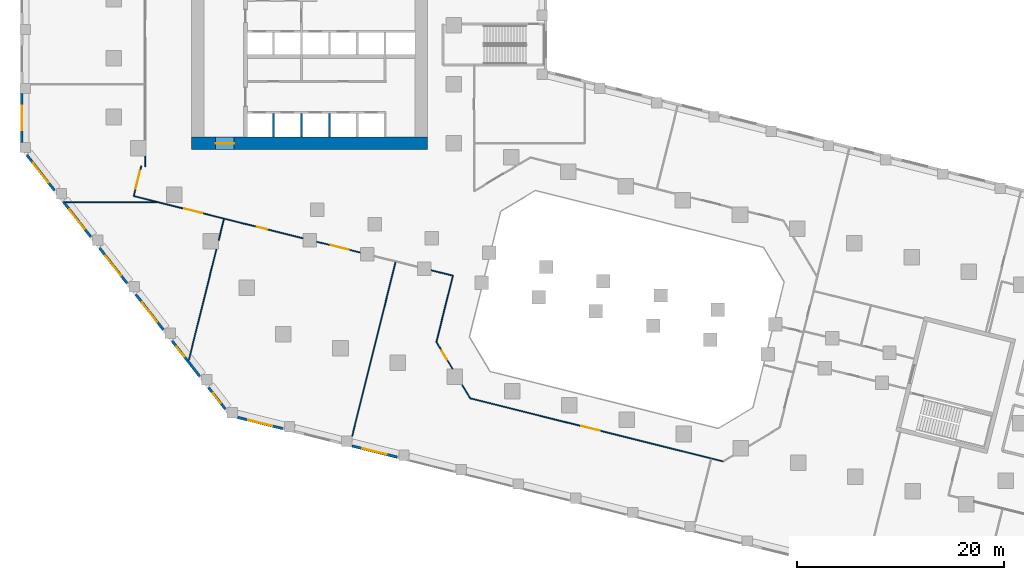
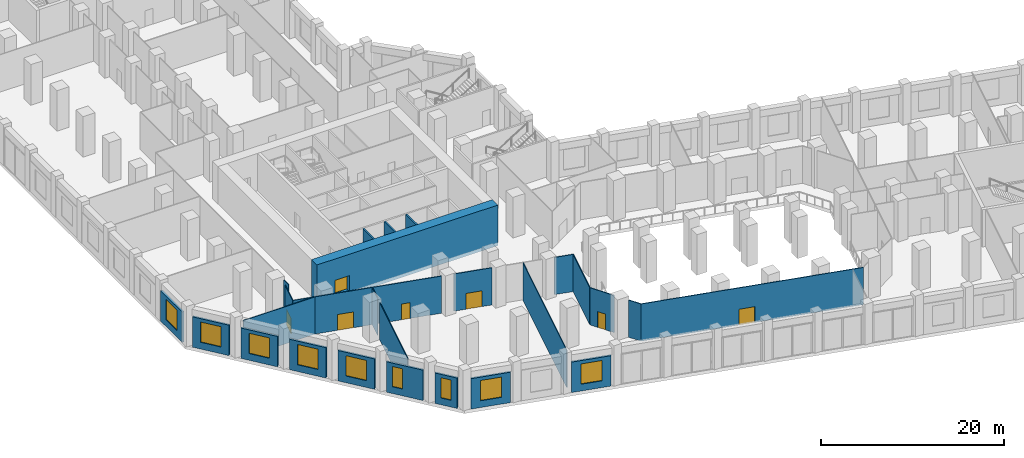
# One storey, part 9 of 23: 26 walls, 9 windows, 7 doors, 16 openings.
"""IFC4 building model written with IfcOpenShell, lengths in metres."""

from ifc_helpers import new_model, si_unit, direction, frame, frame_2d, origin, place, context, subcontext, project, spatial, rectangle, extrude, material, layer, layer_set, type_object, element, fill, save


model = new_model("IFC4")

# Units and contexts
model_context = context("Model", 3, precision=1e-05, world=origin(), true_north=direction((0.0, 1.0)))
body_context = subcontext(model_context, "Body", "Model", "MODEL_VIEW")
ifc_project = project(units=[si_unit("LENGTHUNIT", "METRE"), si_unit("AREAUNIT", "SQUARE_METRE"), si_unit("VOLUMEUNIT", "CUBIC_METRE"), si_unit("PLANEANGLEUNIT", "RADIAN"), si_unit("MASSUNIT", "GRAM", prefix="KILO")], contexts=[model_context])

# Site, building, storey
site_placement = place(None, origin())
site = spatial("IfcSite", under=ifc_project, at=site_placement, CompositionType="ELEMENT")
building_placement = place(site_placement, origin())
building = spatial("IfcBuilding", under=site, at=building_placement, Name="Meshkara Civic Tower", CompositionType="ELEMENT")
storey_placement = place(building_placement, frame((0.0, 0.0, 7.199951171875)))
storey = spatial("IfcBuildingStorey", under=building, at=storey_placement, Name="L01", CompositionType="ELEMENT", Elevation=7.199951171875)

# Wall, opening, door
ifc_material_1 = material(Name="Concrete C80", Category="concrete")
ifc_layer_1 = layer(ifc_material_1, 1.199951171875)
ifc_layer_set_1 = layer_set([ifc_layer_1], Name="Core ring wall 1200 C80")
wall_type_1 = type_object("IfcWallType", Name="Core ring wall 1200 C80", PredefinedType="SHEAR", material=ifc_layer_set_1)
wall_1_placement = place(storey_placement, frame((8.0, 14.699951171875, -0.449951171875), z_axis=(0.0, 0.0, 1.0), x_axis=(1.0, 0.0, 0.0)))
wall_1 = element("IfcWall", 1, at=wall_1_placement, inside=storey, type_object=wall_type_1, Name="L01-C001", PredefinedType="SHEAR", context=body_context, shape_type="SweptSolid", body=[
    extrude(rectangle(XDim=22.800048828125, YDim=1.199951171875, at=frame_2d((11.39990234375, 0.0))), origin(), (0.0, 0.0, 1.0), 5.39990234375),
])
opening_1_placement = place(wall_1_placement, frame((2.300048828125, 0.0, 0.449951171875)))
opening_1 = element("IfcOpeningElement", 2, at=opening_1_placement, cuts=wall_1, Name="Opening L01-K021", PredefinedType="OPENING", context=body_context, shape_type="SweptSolid", body=[
    extrude(rectangle(XDim=1.800048828125, YDim=2.10009765625, at=frame_2d((0.89990234375, 1.050048828125))), frame((0.0, 0.60986328125, 0.0), z_axis=(0.0, -1.0, 0.0), x_axis=(1.0, 0.0, 0.0)), (0.0, 0.0, 1.0), 1.219970703125),
])
ifc_material_2 = material(Name="Fire-rated door leaf in steel frame", Category="steel")
door_type_1 = type_object("IfcDoorType", Name="Core double door 1800 EI 60", OperationType="DOUBLE_DOOR_SINGLE_SWING", PredefinedType="DOOR", material=ifc_material_2)
door_1_placement = place(opening_1_placement, origin())
door_1 = element("IfcDoor", 3, at=door_1_placement, inside=storey, type_object=door_type_1, Name="L01-K021", OperationType="DOUBLE_DOOR_SINGLE_SWING", OverallHeight=2.10009765625, OverallWidth=1.800048828125, PredefinedType="DOOR", context=body_context, shape_type="SweptSolid", body=[
    extrude(rectangle(XDim=1.800048828125, YDim=2.10009765625, at=frame_2d((0.89990234375, 1.050048828125))), frame((0.0, 0.02490234375, 0.0), z_axis=(0.0, -1.0, 0.0), x_axis=(1.0, 0.0, 0.0)), (0.0, 0.0, 1.0), 0.050048828125),
])
fill(opening_1, door_1)

# Wall, openings, doors
ifc_material_3 = material(Name="Corridor wall 100")
ifc_layer_2 = layer(ifc_material_3, 0.10009765625)
ifc_layer_set_2 = layer_set([ifc_layer_2], Name="Corridor wall 100")
wall_type_2 = type_object("IfcWallType", Name="Corridor wall 100", PredefinedType="PARTITIONING", material=ifc_layer_set_2)
wall_2_placement = place(storey_placement, frame((2.39501953125, 9.60595703125, 0.0), z_axis=(0.0, 0.0, 1.0), x_axis=(0.970307527636, -0.241874558011, 0.0)))
wall_2 = element("IfcWall", 4, at=wall_2_placement, inside=storey, type_object=wall_type_2, Name="L01-R004", PredefinedType="PARTITIONING", context=body_context, shape_type="SweptSolid", body=[
    extrude(rectangle(XDim=16.859375, YDim=0.10009765625, at=frame_2d((8.4296875, 0.0))), origin(), (0.0, 0.0, 1.0), 4.949951171875),
])
opening_2_placement = place(wall_2_placement, frame((5.044921875, 0.0, 0.0)))
opening_2 = element("IfcOpeningElement", 5, at=opening_2_placement, cuts=wall_2, Name="Opening L01-P016", PredefinedType="OPENING", context=body_context, shape_type="SweptSolid", body=[
    extrude(rectangle(XDim=1.800048828125, YDim=2.10009765625, at=frame_2d((0.89990234375, 1.050048828125))), frame((0.0, 0.06005859375, 0.0), z_axis=(0.0, -1.0, 0.0), x_axis=(1.0, 0.0, 0.0)), (0.0, 0.0, 1.0), 0.1201171875),
])
opening_3_placement = place(wall_2_placement, frame((12.280029296875, 0.0, 0.0)))
opening_3 = element("IfcOpeningElement", 6, at=opening_3_placement, cuts=wall_2, Name="Opening L01-P017", PredefinedType="OPENING", context=body_context, shape_type="SweptSolid", body=[
    extrude(rectangle(XDim=1.0, YDim=2.10009765625, at=frame_2d((0.5, 1.050048828125))), frame((0.0, 0.06005859375, 0.0), z_axis=(0.0, -1.0, 0.0), x_axis=(1.0, 0.0, 0.0)), (0.0, 0.0, 1.0), 0.1201171875),
])
ifc_material_4 = material(Name="Door 1000 x 2100")
door_type_2 = type_object("IfcDoorType", Name="Door 1000 x 2100", OperationType="SINGLE_SWING_LEFT", PredefinedType="DOOR", material=ifc_material_4)
door_2_placement = place(opening_3_placement, origin())
door_2 = element("IfcDoor", 7, at=door_2_placement, inside=storey, type_object=door_type_2, Name="L01-P017", OperationType="SINGLE_SWING_RIGHT", OverallHeight=2.10009765625, OverallWidth=1.0, PredefinedType="DOOR", context=body_context, shape_type="SweptSolid", body=[
    extrude(rectangle(XDim=1.0, YDim=2.10009765625, at=frame_2d((0.5, 1.050048828125))), frame((0.0, 0.02490234375, 0.0), z_axis=(0.0, -1.0, 0.0), x_axis=(1.0, 0.0, 0.0)), (0.0, 0.0, 1.0), 0.050048828125),
])
fill(opening_3, door_2)
ifc_material_5 = material(Name="Door pair 1800 x 2100")
door_type_3 = type_object("IfcDoorType", Name="Door pair 1800 x 2100", OperationType="SINGLE_SWING_LEFT", PredefinedType="DOOR", material=ifc_material_5)
door_3_placement = place(opening_2_placement, origin())
door_3 = element("IfcDoor", 8, at=door_3_placement, inside=storey, type_object=door_type_3, Name="L01-P016", OperationType="DOUBLE_DOOR_SINGLE_SWING", OverallHeight=2.10009765625, OverallWidth=1.800048828125, PredefinedType="DOOR", context=body_context, shape_type="SweptSolid", body=[
    extrude(rectangle(XDim=1.800048828125, YDim=2.10009765625, at=frame_2d((0.89990234375, 1.050048828125))), frame((0.0, 0.02490234375, 0.0), z_axis=(0.0, -1.0, 0.0), x_axis=(1.0, 0.0, 0.0)), (0.0, 0.0, 1.0), 0.050048828125),
])
fill(opening_2, door_3)

# Wall, opening, door
wall_3_placement = place(storey_placement, frame((3.12109375, 12.51708984375, 0.0), z_axis=(0.0, 0.0, 1.0), x_axis=(-0.241999491975, -0.970276376031, 0.0)))
wall_3 = element("IfcWall", 9, at=wall_3_placement, inside=storey, type_object=wall_type_2, Name="L01-R005", PredefinedType="PARTITIONING", context=body_context, shape_type="SweptSolid", body=[
    extrude(rectangle(XDim=3.000244140625, YDim=0.10009765625, at=frame_2d((1.5, 0.0))), origin(), (0.0, 0.0, 1.0), 4.949951171875),
])
opening_4_placement = place(wall_3_placement, frame((0.47998046875, 0.0, 0.0)))
opening_4 = element("IfcOpeningElement", 10, at=opening_4_placement, cuts=wall_3, Name="Opening L01-P015", PredefinedType="OPENING", context=body_context, shape_type="SweptSolid", body=[
    extrude(rectangle(XDim=1.800048828125, YDim=2.10009765625, at=frame_2d((0.89990234375, 1.050048828125))), frame((0.0, 0.06005859375, 0.0), z_axis=(0.0, -1.0, 0.0), x_axis=(1.0, 0.0, 0.0)), (0.0, 0.0, 1.0), 0.1201171875),
])
door_4_placement = place(opening_4_placement, origin())
door_4 = element("IfcDoor", 11, at=door_4_placement, inside=storey, type_object=door_type_3, Name="L01-P015", OperationType="DOUBLE_DOOR_SINGLE_SWING", OverallHeight=2.10009765625, OverallWidth=1.800048828125, PredefinedType="DOOR", context=body_context, shape_type="SweptSolid", body=[
    extrude(rectangle(XDim=1.800048828125, YDim=2.10009765625, at=frame_2d((0.89990234375, 1.050048828125))), frame((0.0, 0.02490234375, 0.0), z_axis=(0.0, -1.0, 0.0), x_axis=(1.0, 0.0, 0.0)), (0.0, 0.0, 1.0), 0.050048828125),
])
fill(opening_4, door_4)

# Wall
wall_4_placement = place(storey_placement, frame((3.5, 13.458984375, 0.0), z_axis=(0.0, 0.0, 1.0), x_axis=(0.0, -1.0, 0.0)))
element("IfcWall", 12, at=wall_4_placement, inside=storey, type_object=wall_type_2, Name="L01-R006", PredefinedType="PARTITIONING", context=body_context, shape_type="SweptSolid", body=[
    extrude(rectangle(XDim=1.035888671875, YDim=0.10009765625, at=frame_2d((0.51806640625, 0.0))), origin(), (0.0, 0.0, 1.0), 4.949951171875),
])

# Wall, opening, door
wall_5_placement = place(storey_placement, frame((20.093994140625, 5.193115234375, 0.0), z_axis=(0.0, 0.0, 1.0), x_axis=(0.970321828551, -0.241817181023, 0.0)))
wall_5 = element("IfcWall", 13, at=wall_5_placement, inside=storey, type_object=wall_type_2, Name="L01-R028", PredefinedType="PARTITIONING", context=body_context, shape_type="SweptSolid", body=[
    extrude(rectangle(XDim=4.318115234375, YDim=0.10009765625, at=frame_2d((2.1591796875, 0.0))), origin(), (0.0, 0.0, 1.0), 4.949951171875),
])
opening_5_placement = place(wall_5_placement, frame((1.3798828125, 0.0, 0.0)))
opening_5 = element("IfcOpeningElement", 14, at=opening_5_placement, cuts=wall_5, Name="Opening L01-P013", PredefinedType="OPENING", context=body_context, shape_type="SweptSolid", body=[
    extrude(rectangle(XDim=1.800048828125, YDim=2.10009765625, at=frame_2d((0.89990234375, 1.050048828125))), frame((0.0, 0.06005859375, 0.0), z_axis=(0.0, -1.0, 0.0), x_axis=(1.0, 0.0, 0.0)), (0.0, 0.0, 1.0), 0.1201171875),
])
door_5_placement = place(opening_5_placement, origin())
door_5 = element("IfcDoor", 15, at=door_5_placement, inside=storey, type_object=door_type_3, Name="L01-P013", OperationType="DOUBLE_DOOR_SINGLE_SWING", OverallHeight=2.10009765625, OverallWidth=1.800048828125, PredefinedType="DOOR", context=body_context, shape_type="SweptSolid", body=[
    extrude(rectangle(XDim=1.800048828125, YDim=2.10009765625, at=frame_2d((0.89990234375, 1.050048828125))), frame((0.0, 0.02490234375, 0.0), z_axis=(0.0, -1.0, 0.0), x_axis=(1.0, 0.0, 0.0)), (0.0, 0.0, 1.0), 0.050048828125),
])
fill(opening_5, door_5)

# Wall
wall_6_placement = place(storey_placement, frame((31.155029296875, 2.43603515625, 0.0), z_axis=(0.0, 0.0, 1.0), x_axis=(0.970255412337, -0.242083528623, 0.0)))
element("IfcWall", 16, at=wall_6_placement, inside=storey, type_object=wall_type_2, Name="L01-R038", PredefinedType="PARTITIONING", context=body_context, shape_type="SweptSolid", body=[
    extrude(rectangle(XDim=2.16015625, YDim=0.10009765625, at=frame_2d((1.080078125, 0.0))), origin(), (0.0, 0.0, 1.0), 4.949951171875),
])

# Wall, opening, door
wall_7_placement = place(storey_placement, frame((31.654052734375, -4.490966796875, 0.0), z_axis=(0.0, 0.0, 1.0), x_axis=(0.514896022811, -0.857252638196, 0.0)))
wall_7 = element("IfcWall", 17, at=wall_7_placement, inside=storey, type_object=wall_type_2, Name="L01-R039", PredefinedType="PARTITIONING", context=body_context, shape_type="SweptSolid", body=[
    extrude(rectangle(XDim=3.04931640625, YDim=0.10009765625, at=frame_2d((1.524658203125, 0.0))), origin(), (0.0, 0.0, 1.0), 4.949951171875),
])
opening_6_placement = place(wall_7_placement, frame((0.97998046875, 0.0, 0.0)))
opening_6 = element("IfcOpeningElement", 18, at=opening_6_placement, cuts=wall_7, Name="Opening L01-P008", PredefinedType="OPENING", context=body_context, shape_type="SweptSolid", body=[
    extrude(rectangle(XDim=1.0, YDim=2.10009765625, at=frame_2d((0.5, 1.050048828125))), frame((0.0, 0.06005859375, 0.0), z_axis=(0.0, -1.0, 0.0), x_axis=(1.0, 0.0, 0.0)), (0.0, 0.0, 1.0), 0.1201171875),
])
door_6_placement = place(opening_6_placement, origin())
door_6 = element("IfcDoor", 19, at=door_6_placement, inside=storey, type_object=door_type_2, Name="L01-P008", OperationType="SINGLE_SWING_LEFT", OverallHeight=2.10009765625, OverallWidth=1.0, PredefinedType="DOOR", context=body_context, shape_type="SweptSolid", body=[
    extrude(rectangle(XDim=1.0, YDim=2.10009765625, at=frame_2d((0.5, 1.050048828125))), frame((0.0, 0.02490234375, 0.0), z_axis=(0.0, -1.0, 0.0), x_axis=(1.0, 0.0, 0.0)), (0.0, 0.0, 1.0), 0.050048828125),
])
fill(opening_6, door_6)

# Walls
wall_8_placement = place(storey_placement, frame((33.2509765625, 1.9130859375, 0.0), z_axis=(0.0, 0.0, 1.0), x_axis=(-0.241952442696, -0.970288109519, 0.0)))
element("IfcWall", 20, at=wall_8_placement, inside=storey, type_object=wall_type_2, Name="L01-R043", PredefinedType="PARTITIONING", context=body_context, shape_type="SweptSolid", body=[
    extrude(rectangle(XDim=6.60009765625, YDim=0.10009765625, at=frame_2d((3.300048828125, 0.0))), origin(), (0.0, 0.0, 1.0), 4.949951171875),
])
wall_9_placement = place(storey_placement, frame((34.14892578125, -8.64501953125, 0.0), z_axis=(0.0, 0.0, 1.0), x_axis=(0.51515786807, -0.857095310316, 0.0)))
element("IfcWall", 21, at=wall_9_placement, inside=storey, type_object=wall_type_2, Name="L01-R045", PredefinedType="PARTITIONING", context=body_context, shape_type="SweptSolid", body=[
    extrude(rectangle(XDim=1.51806640625, YDim=0.10009765625, at=frame_2d((0.759033203125, 0.0))), origin(), (0.0, 0.0, 1.0), 4.949951171875),
])

# Wall, opening, door
wall_10_placement = place(storey_placement, frame((34.930908203125, -9.946044921875, 0.0), z_axis=(0.0, 0.0, 1.0), x_axis=(0.970292759563, -0.241933794127, 0.0)))
wall_10 = element("IfcWall", 22, at=wall_10_placement, inside=storey, type_object=wall_type_2, Name="L01-R046", PredefinedType="PARTITIONING", context=body_context, shape_type="SweptSolid", body=[
    extrude(rectangle(XDim=25.20068359375, YDim=0.10009765625, at=frame_2d((12.600341796875, 0.0))), origin(), (0.0, 0.0, 1.0), 4.949951171875),
])
opening_7_placement = place(wall_10_placement, frame((11.080078125, 0.0, 0.0)))
opening_7 = element("IfcOpeningElement", 23, at=opening_7_placement, cuts=wall_10, Name="Opening L01-P002", PredefinedType="OPENING", context=body_context, shape_type="SweptSolid", body=[
    extrude(rectangle(XDim=1.800048828125, YDim=2.10009765625, at=frame_2d((0.89990234375, 1.050048828125))), frame((0.0, 0.06005859375, 0.0), z_axis=(0.0, -1.0, 0.0), x_axis=(1.0, 0.0, 0.0)), (0.0, 0.0, 1.0), 0.1201171875),
])
door_7_placement = place(opening_7_placement, origin())
door_7 = element("IfcDoor", 24, at=door_7_placement, inside=storey, type_object=door_type_3, Name="L01-P002", OperationType="DOUBLE_DOOR_SINGLE_SWING", OverallHeight=2.10009765625, OverallWidth=1.800048828125, PredefinedType="DOOR", context=body_context, shape_type="SweptSolid", body=[
    extrude(rectangle(XDim=1.800048828125, YDim=2.10009765625, at=frame_2d((0.89990234375, 1.050048828125))), frame((0.0, 0.02490234375, 0.0), z_axis=(0.0, -1.0, 0.0), x_axis=(1.0, 0.0, 0.0)), (0.0, 0.0, 1.0), 0.050048828125),
])
fill(opening_7, door_7)

# Wall, opening, window
ifc_material_6 = material(Name="Stone cladding on insulated backing wall", Category="masonry")
ifc_layer_3 = layer(ifc_material_6, 0.25)
ifc_layer_set_3 = layer_set([ifc_layer_3], Name="PODIUM STONE WALL 250")
wall_type_3 = type_object("IfcWallType", Name="PODIUM STONE WALL 250", PredefinedType="SOLIDWALL", material=ifc_layer_set_3)
wall_11_placement = place(storey_placement, frame((-8.425048828125, 19.510986328125, 0.0), z_axis=(0.0, 0.0, 1.0), x_axis=(0.0, -1.0, 0.0)))
wall_11 = element("IfcWall", 25, at=wall_11_placement, inside=storey, type_object=wall_type_3, Name="Podium external wall", PredefinedType="SOLIDWALL", context=body_context, shape_type="SweptSolid", body=[
    extrude(rectangle(XDim=4.699951171875, YDim=0.25, at=frame_2d((2.35009765625, 0.0))), origin(), (0.0, 0.0, 1.0), 4.050048828125),
])
opening_8_placement = place(wall_11_placement, frame((1.14990234375, 0.0, 0.89990234375)))
opening_8 = element("IfcOpeningElement", 26, at=opening_8_placement, cuts=wall_11, Name="Opening PW4", PredefinedType="OPENING", context=body_context, shape_type="SweptSolid", body=[
    extrude(rectangle(XDim=2.39990234375, YDim=2.699951171875, at=frame_2d((1.199951171875, 1.35009765625))), frame((0.0, 0.135009765625, 0.0), z_axis=(0.0, -1.0, 0.0), x_axis=(1.0, 0.0, 0.0)), (0.0, 0.0, 1.0), 0.27001953125),
])
ifc_material_7 = material(Name="Tinted double glazing", Category="glass")
window_type_1 = type_object("IfcWindowType", Name="PODIUM WINDOW 2400x2700", PartitioningType="DOUBLE_PANEL_VERTICAL", PredefinedType="WINDOW", material=ifc_material_7)
window_1_placement = place(opening_8_placement, origin())
window_1 = element("IfcWindow", 27, at=window_1_placement, inside=storey, type_object=window_type_1, Name="Podium window", OverallHeight=2.699951171875, OverallWidth=2.39990234375, PartitioningType="DOUBLE_PANEL_VERTICAL", PredefinedType="WINDOW", context=body_context, shape_type="SweptSolid", body=[
    extrude(rectangle(XDim=2.39990234375, YDim=2.699951171875, at=frame_2d((1.199951171875, 1.35009765625))), frame((0.0, 0.030029296875, 0.0), z_axis=(0.0, -1.0, 0.0), x_axis=(1.0, 0.0, 0.0)), (0.0, 0.0, 1.0), 0.06005859375),
])
fill(opening_8, window_1)

wall_12_placement = place(storey_placement, frame((-7.924072265625, 13.55810546875, 0.0), z_axis=(0.0, 0.0, 1.0), x_axis=(0.615603242749, -0.788056246417, 0.0)))
wall_12 = element("IfcWall", 28, at=wall_12_placement, inside=storey, type_object=wall_type_3, Name="Podium external wall", PredefinedType="SOLIDWALL", context=body_context, shape_type="SweptSolid", body=[
    extrude(rectangle(XDim=4.296630859375, YDim=0.25, at=frame_2d((2.1484375, 0.0))), origin(), (0.0, 0.0, 1.0), 4.050048828125),
])
opening_9_placement = place(wall_12_placement, frame((0.947998046875, 0.0, 0.89990234375)))
opening_9 = element("IfcOpeningElement", 29, at=opening_9_placement, cuts=wall_12, Name="Opening PW4", PredefinedType="OPENING", context=body_context, shape_type="SweptSolid", body=[
    extrude(rectangle(XDim=2.39990234375, YDim=2.699951171875, at=frame_2d((1.199951171875, 1.35009765625))), frame((0.0, 0.135009765625, 0.0), z_axis=(0.0, -1.0, 0.0), x_axis=(1.0, 0.0, 0.0)), (0.0, 0.0, 1.0), 0.27001953125),
])
window_2_placement = place(opening_9_placement, origin())
window_2 = element("IfcWindow", 30, at=window_2_placement, inside=storey, type_object=window_type_1, Name="Podium window", OverallHeight=2.699951171875, OverallWidth=2.39990234375, PartitioningType="DOUBLE_PANEL_VERTICAL", PredefinedType="WINDOW", context=body_context, shape_type="SweptSolid", body=[
    extrude(rectangle(XDim=2.39990234375, YDim=2.699951171875, at=frame_2d((1.199951171875, 1.35009765625))), frame((0.0, 0.030029296875, 0.0), z_axis=(0.0, -1.0, 0.0), x_axis=(1.0, 0.0, 0.0)), (0.0, 0.0, 1.0), 0.06005859375),
])
fill(opening_9, window_2)

wall_13_placement = place(storey_placement, frame((-4.4150390625, 9.06591796875, 0.0), z_axis=(0.0, 0.0, 1.0), x_axis=(0.615713519567, -0.787970089421, 0.0)))
wall_13 = element("IfcWall", 31, at=wall_13_placement, inside=storey, type_object=wall_type_3, Name="Podium external wall", PredefinedType="SOLIDWALL", context=body_context, shape_type="SweptSolid", body=[
    extrude(rectangle(XDim=4.2958984375, YDim=0.25, at=frame_2d((2.14794921875, 0.0))), origin(), (0.0, 0.0, 1.0), 4.050048828125),
])
opening_10_placement = place(wall_13_placement, frame((0.947998046875, 0.0, 0.89990234375)))
opening_10 = element("IfcOpeningElement", 32, at=opening_10_placement, cuts=wall_13, Name="Opening PW4", PredefinedType="OPENING", context=body_context, shape_type="SweptSolid", body=[
    extrude(rectangle(XDim=2.39990234375, YDim=2.699951171875, at=frame_2d((1.199951171875, 1.35009765625))), frame((0.0, 0.135009765625, 0.0), z_axis=(0.0, -1.0, 0.0), x_axis=(1.0, 0.0, 0.0)), (0.0, 0.0, 1.0), 0.27001953125),
])
window_3_placement = place(opening_10_placement, origin())
window_3 = element("IfcWindow", 33, at=window_3_placement, inside=storey, type_object=window_type_1, Name="Podium window", OverallHeight=2.699951171875, OverallWidth=2.39990234375, PartitioningType="DOUBLE_PANEL_VERTICAL", PredefinedType="WINDOW", context=body_context, shape_type="SweptSolid", body=[
    extrude(rectangle(XDim=2.39990234375, YDim=2.699951171875, at=frame_2d((1.199951171875, 1.35009765625))), frame((0.0, 0.030029296875, 0.0), z_axis=(0.0, -1.0, 0.0), x_axis=(1.0, 0.0, 0.0)), (0.0, 0.0, 1.0), 0.06005859375),
])
fill(opening_10, window_3)

wall_14_placement = place(storey_placement, frame((-0.906005859375, 4.574951171875, 0.0), z_axis=(0.0, 0.0, 1.0), x_axis=(0.61574436495, -0.787945986113, 0.0)))
wall_14 = element("IfcWall", 34, at=wall_14_placement, inside=storey, type_object=wall_type_3, Name="Podium external wall", PredefinedType="SOLIDWALL", context=body_context, shape_type="SweptSolid", body=[
    extrude(rectangle(XDim=4.297119140625, YDim=0.25, at=frame_2d((2.1484375, 0.0))), origin(), (0.0, 0.0, 1.0), 4.050048828125),
])
opening_11_placement = place(wall_14_placement, frame((0.948974609375, 0.0, 0.89990234375)))
opening_11 = element("IfcOpeningElement", 35, at=opening_11_placement, cuts=wall_14, Name="Opening PW4", PredefinedType="OPENING", context=body_context, shape_type="SweptSolid", body=[
    extrude(rectangle(XDim=2.39990234375, YDim=2.699951171875, at=frame_2d((1.199951171875, 1.35009765625))), frame((0.0, 0.135009765625, 0.0), z_axis=(0.0, -1.0, 0.0), x_axis=(1.0, 0.0, 0.0)), (0.0, 0.0, 1.0), 0.27001953125),
])
window_4_placement = place(opening_11_placement, origin())
window_4 = element("IfcWindow", 36, at=window_4_placement, inside=storey, type_object=window_type_1, Name="Podium window", OverallHeight=2.699951171875, OverallWidth=2.39990234375, PartitioningType="DOUBLE_PANEL_VERTICAL", PredefinedType="WINDOW", context=body_context, shape_type="SweptSolid", body=[
    extrude(rectangle(XDim=2.39990234375, YDim=2.699951171875, at=frame_2d((1.199951171875, 1.35009765625))), frame((0.0, 0.030029296875, 0.0), z_axis=(0.0, -1.0, 0.0), x_axis=(1.0, 0.0, 0.0)), (0.0, 0.0, 1.0), 0.06005859375),
])
fill(opening_11, window_4)

wall_15_placement = place(storey_placement, frame((2.60400390625, 0.0830078125, 0.0), z_axis=(0.0, 0.0, 1.0), x_axis=(0.615603242749, -0.788056246417, 0.0)))
wall_15 = element("IfcWall", 37, at=wall_15_placement, inside=storey, type_object=wall_type_3, Name="Podium external wall", PredefinedType="SOLIDWALL", context=body_context, shape_type="SweptSolid", body=[
    extrude(rectangle(XDim=4.296630859375, YDim=0.25, at=frame_2d((2.1484375, 0.0))), origin(), (0.0, 0.0, 1.0), 4.050048828125),
])
opening_12_placement = place(wall_15_placement, frame((0.947998046875, 0.0, 0.89990234375)))
opening_12 = element("IfcOpeningElement", 38, at=opening_12_placement, cuts=wall_15, Name="Opening PW4", PredefinedType="OPENING", context=body_context, shape_type="SweptSolid", body=[
    extrude(rectangle(XDim=2.39990234375, YDim=2.699951171875, at=frame_2d((1.199951171875, 1.35009765625))), frame((0.0, 0.135009765625, 0.0), z_axis=(0.0, -1.0, 0.0), x_axis=(1.0, 0.0, 0.0)), (0.0, 0.0, 1.0), 0.27001953125),
])
window_5_placement = place(opening_12_placement, origin())
window_5 = element("IfcWindow", 39, at=window_5_placement, inside=storey, type_object=window_type_1, Name="Podium window", OverallHeight=2.699951171875, OverallWidth=2.39990234375, PartitioningType="DOUBLE_PANEL_VERTICAL", PredefinedType="WINDOW", context=body_context, shape_type="SweptSolid", body=[
    extrude(rectangle(XDim=2.39990234375, YDim=2.699951171875, at=frame_2d((1.199951171875, 1.35009765625))), frame((0.0, 0.030029296875, 0.0), z_axis=(0.0, -1.0, 0.0), x_axis=(1.0, 0.0, 0.0)), (0.0, 0.0, 1.0), 0.06005859375),
])
fill(opening_12, window_5)

wall_16_placement = place(storey_placement, frame((6.113037109375, -4.408935546875, 0.0), z_axis=(0.0, 0.0, 1.0), x_axis=(0.615603242749, -0.788056246417, 0.0)))
wall_16 = element("IfcWall", 40, at=wall_16_placement, inside=storey, type_object=wall_type_3, Name="Podium external wall", PredefinedType="SOLIDWALL", context=body_context, shape_type="SweptSolid", body=[
    extrude(rectangle(XDim=4.296630859375, YDim=0.25, at=frame_2d((2.1484375, 0.0))), origin(), (0.0, 0.0, 1.0), 4.050048828125),
])
opening_13_placement = place(wall_16_placement, frame((0.701904296875, 0.0, 0.89990234375)))
opening_13 = element("IfcOpeningElement", 41, at=opening_13_placement, cuts=wall_16, Name="Opening PW6", PredefinedType="OPENING", context=body_context, shape_type="SweptSolid", body=[
    extrude(rectangle(XDim=1.199951171875, YDim=2.699951171875, at=frame_2d((0.60009765625, 1.35009765625))), frame((0.0, 0.135009765625, 0.0), z_axis=(0.0, -1.0, 0.0), x_axis=(1.0, 0.0, 0.0)), (0.0, 0.0, 1.0), 0.27001953125),
])
ifc_material_8 = material(Name="Tinted double glazing", Category="glass")
window_type_2 = type_object("IfcWindowType", Name="PODIUM WINDOW 1200x2700", PartitioningType="SINGLE_PANEL", PredefinedType="WINDOW", material=ifc_material_8)
window_6_placement = place(opening_13_placement, origin())
window_6 = element("IfcWindow", 42, at=window_6_placement, inside=storey, type_object=window_type_2, Name="Podium window", OverallHeight=2.699951171875, OverallWidth=1.199951171875, PartitioningType="SINGLE_PANEL", PredefinedType="WINDOW", context=body_context, shape_type="SweptSolid", body=[
    extrude(rectangle(XDim=1.199951171875, YDim=2.699951171875, at=frame_2d((0.60009765625, 1.35009765625))), frame((0.0, 0.030029296875, 0.0), z_axis=(0.0, -1.0, 0.0), x_axis=(1.0, 0.0, 0.0)), (0.0, 0.0, 1.0), 0.06005859375),
])
fill(opening_13, window_6)

wall_17_placement = place(storey_placement, frame((9.6220703125, -8.90087890625, 0.0), z_axis=(0.0, 0.0, 1.0), x_axis=(0.615703609525, -0.787977832948, 0.0)))
wall_17 = element("IfcWall", 43, at=wall_17_placement, inside=storey, type_object=wall_type_3, Name="Podium external wall", PredefinedType="SOLIDWALL", context=body_context, shape_type="SweptSolid", body=[
    extrude(rectangle(XDim=2.62451171875, YDim=0.25, at=frame_2d((1.312255859375, 0.0))), origin(), (0.0, 0.0, 1.0), 4.050048828125),
])
opening_14_placement = place(wall_17_placement, frame((0.7119140625, 0.0, 0.89990234375)))
opening_14 = element("IfcOpeningElement", 44, at=opening_14_placement, cuts=wall_17, Name="Opening PW6", PredefinedType="OPENING", context=body_context, shape_type="SweptSolid", body=[
    extrude(rectangle(XDim=1.199951171875, YDim=2.699951171875, at=frame_2d((0.60009765625, 1.35009765625))), frame((0.0, 0.135009765625, 0.0), z_axis=(0.0, -1.0, 0.0), x_axis=(1.0, 0.0, 0.0)), (0.0, 0.0, 1.0), 0.27001953125),
])
window_7_placement = place(opening_14_placement, origin())
window_7 = element("IfcWindow", 45, at=window_7_placement, inside=storey, type_object=window_type_2, Name="Podium window", OverallHeight=2.699951171875, OverallWidth=1.199951171875, PartitioningType="SINGLE_PANEL", PredefinedType="WINDOW", context=body_context, shape_type="SweptSolid", body=[
    extrude(rectangle(XDim=1.199951171875, YDim=2.699951171875, at=frame_2d((0.60009765625, 1.35009765625))), frame((0.0, 0.030029296875, 0.0), z_axis=(0.0, -1.0, 0.0), x_axis=(1.0, 0.0, 0.0)), (0.0, 0.0, 1.0), 0.06005859375),
])
fill(opening_14, window_7)

wall_18_placement = place(storey_placement, frame((12.43603515625, -11.783935546875, 0.0), z_axis=(0.0, 0.0, 1.0), x_axis=(0.970263990019, -0.242049147224, 0.0)))
wall_18 = element("IfcWall", 46, at=wall_18_placement, inside=storey, type_object=wall_type_3, Name="Podium external wall", PredefinedType="SOLIDWALL", context=body_context, shape_type="SweptSolid", body=[
    extrude(rectangle(XDim=4.487548828125, YDim=0.25, at=frame_2d((2.24365234375, 0.0))), origin(), (0.0, 0.0, 1.0), 4.050048828125),
])
opening_15_placement = place(wall_18_placement, frame((1.0439453125, 0.0, 0.89990234375)))
opening_15 = element("IfcOpeningElement", 47, at=opening_15_placement, cuts=wall_18, Name="Opening PW4", PredefinedType="OPENING", context=body_context, shape_type="SweptSolid", body=[
    extrude(rectangle(XDim=2.39990234375, YDim=2.699951171875, at=frame_2d((1.199951171875, 1.35009765625))), frame((0.0, 0.135009765625, 0.0), z_axis=(0.0, -1.0, 0.0), x_axis=(1.0, 0.0, 0.0)), (0.0, 0.0, 1.0), 0.27001953125),
])
window_8_placement = place(opening_15_placement, origin())
window_8 = element("IfcWindow", 48, at=window_8_placement, inside=storey, type_object=window_type_1, Name="Podium window", OverallHeight=2.699951171875, OverallWidth=2.39990234375, PartitioningType="DOUBLE_PANEL_VERTICAL", PredefinedType="WINDOW", context=body_context, shape_type="SweptSolid", body=[
    extrude(rectangle(XDim=2.39990234375, YDim=2.699951171875, at=frame_2d((1.199951171875, 1.35009765625))), frame((0.0, 0.030029296875, 0.0), z_axis=(0.0, -1.0, 0.0), x_axis=(1.0, 0.0, 0.0)), (0.0, 0.0, 1.0), 0.06005859375),
])
fill(opening_15, window_8)

wall_19_placement = place(storey_placement, frame((23.4970703125, -14.5419921875, 0.0), z_axis=(0.0, 0.0, 1.0), x_axis=(0.970327846266, -0.241793032904, 0.0)))
wall_19 = element("IfcWall", 49, at=wall_19_placement, inside=storey, type_object=wall_type_3, Name="Podium external wall", PredefinedType="SOLIDWALL", context=body_context, shape_type="SweptSolid", body=[
    extrude(rectangle(XDim=4.487060546875, YDim=0.25, at=frame_2d((2.24365234375, 0.0))), origin(), (0.0, 0.0, 1.0), 4.050048828125),
])
opening_16_placement = place(wall_19_placement, frame((1.0439453125, 0.0, 0.89990234375)))
opening_16 = element("IfcOpeningElement", 50, at=opening_16_placement, cuts=wall_19, Name="Opening PW4", PredefinedType="OPENING", context=body_context, shape_type="SweptSolid", body=[
    extrude(rectangle(XDim=2.39990234375, YDim=2.699951171875, at=frame_2d((1.199951171875, 1.35009765625))), frame((0.0, 0.135009765625, 0.0), z_axis=(0.0, -1.0, 0.0), x_axis=(1.0, 0.0, 0.0)), (0.0, 0.0, 1.0), 0.27001953125),
])
window_9_placement = place(opening_16_placement, origin())
window_9 = element("IfcWindow", 51, at=window_9_placement, inside=storey, type_object=window_type_1, Name="Podium window", OverallHeight=2.699951171875, OverallWidth=2.39990234375, PartitioningType="DOUBLE_PANEL_VERTICAL", PredefinedType="WINDOW", context=body_context, shape_type="SweptSolid", body=[
    extrude(rectangle(XDim=2.39990234375, YDim=2.699951171875, at=frame_2d((1.199951171875, 1.35009765625))), frame((0.0, 0.030029296875, 0.0), z_axis=(0.0, -1.0, 0.0), x_axis=(1.0, 0.0, 0.0)), (0.0, 0.0, 1.0), 0.06005859375),
])
fill(opening_16, window_9)

# Walls
ifc_material_9 = material(Name="Partition 100")
ifc_layer_4 = layer(ifc_material_9, 0.10009765625)
ifc_layer_set_4 = layer_set([ifc_layer_4], Name="Partition 100")
wall_type_4 = type_object("IfcWallType", Name="Partition 100", PredefinedType="PARTITIONING", material=ifc_layer_set_4)
wall_20_placement = place(storey_placement, frame((-4.204833984375, 9.0, 0.0), z_axis=(0.0, 0.0, 1.0), x_axis=(1.0, 0.0, 0.0)))
element("IfcWall", 52, at=wall_20_placement, inside=storey, type_object=wall_type_4, Name="L01-R086", PredefinedType="PARTITIONING", context=body_context, shape_type="SweptSolid", body=[
    extrude(rectangle(XDim=9.03076171875, YDim=0.10009765625, at=frame_2d((4.515380859375, 0.0))), origin(), (0.0, 0.0, 1.0), 4.949951171875),
])
wall_21_placement = place(storey_placement, frame((7.715576171875, -6.25732421875, 0.0), z_axis=(0.0, 0.0, 1.0), x_axis=(0.241891576484, 0.970303285177, 0.0)))
element("IfcWall", 53, at=wall_21_placement, inside=storey, type_object=wall_type_4, Name="L01-R092", PredefinedType="PARTITIONING", context=body_context, shape_type="SweptSolid", body=[
    extrude(rectangle(XDim=11.060791015625, YDim=0.10009765625, at=frame_2d((5.5302734375, 0.0))), origin(), (0.0, 0.0, 1.0), 4.949951171875),
])
wall_22_placement = place(storey_placement, frame((10.60302734375, 5.322998046875, 0.0), z_axis=(0.0, 0.0, 1.0), x_axis=(0.241966521302, 0.970284598749, 0.0)))
element("IfcWall", 54, at=wall_22_placement, inside=storey, type_object=wall_type_4, Name="L01-R095", PredefinedType="PARTITIONING", context=body_context, shape_type="SweptSolid", body=[
    extrude(rectangle(XDim=2.119873046875, YDim=0.10009765625, at=frame_2d((1.06005859375, 0.0))), origin(), (0.0, 0.0, 1.0), 4.949951171875),
])
wall_23_placement = place(storey_placement, frame((23.507080078125, -13.60107421875, 0.0), z_axis=(0.0, 0.0, 1.0), x_axis=(0.24198959429, 0.970278844588, 0.0)))
element("IfcWall", 55, at=wall_23_placement, inside=storey, type_object=wall_type_4, Name="L01-R097", PredefinedType="PARTITIONING", context=body_context, shape_type="SweptSolid", body=[
    extrude(rectangle(XDim=17.35986328125, YDim=0.10009765625, at=frame_2d((8.679931640625, 0.0))), origin(), (0.0, 0.0, 1.0), 4.949951171875),
])
ifc_material_10 = material(Name="Concrete C40/50", Category="concrete")
ifc_layer_5 = layer(ifc_material_10, 0.199951171875)
ifc_layer_set_5 = layer_set([ifc_layer_5], Name="Shaft wall 200 C40/50")
wall_type_5 = type_object("IfcWallType", Name="Shaft wall 200 C40/50", PredefinedType="SOLIDWALL", material=ifc_layer_set_5)
for number, where, z_axis, x_axis, name in (
    (56, (15.89990234375, 15.300048828125, 0.0), (0.0, 0.0, 1.0), (0.0, 1.0, 0.0), "L01-C012"),
    (57, (18.60009765625, 15.300048828125, 0.0), (0.0, 0.0, 1.0), (0.0, 1.0, 0.0), "L01-C015"),
    (58, (21.300048828125, 15.300048828125, 0.0), (0.0, 0.0, 1.0), (0.0, 1.0, 0.0), "L01-C018"),
):
    element("IfcWall", number, at=place(storey_placement, frame(where, z_axis=z_axis, x_axis=x_axis)), inside=storey, type_object=wall_type_5, Name=name, PredefinedType="SOLIDWALL", context=body_context, shape_type="SweptSolid", body=[
        extrude(rectangle(XDim=2.300048828125, YDim=0.199951171875, at=frame_2d((1.14990234375, 0.0))), origin(), (0.0, 0.0, 1.0), 4.949951171875),
    ])

save(model, "model.ifc")
